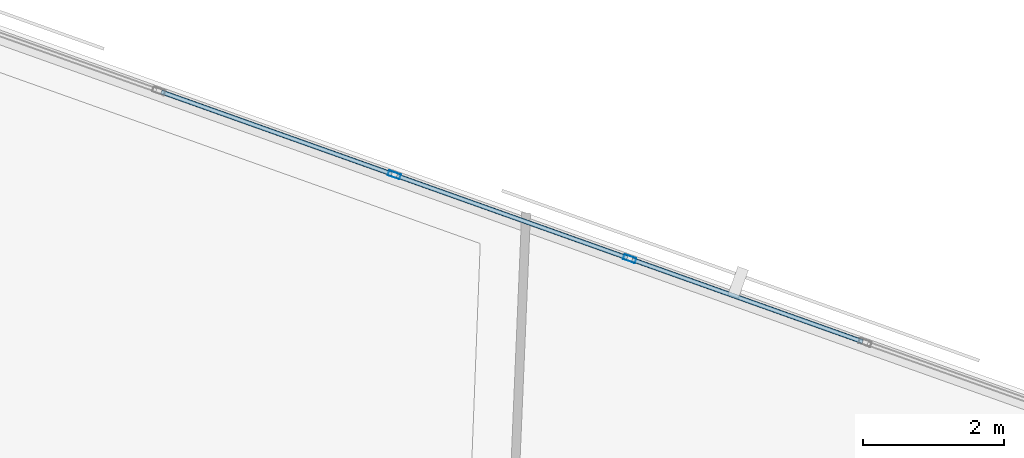
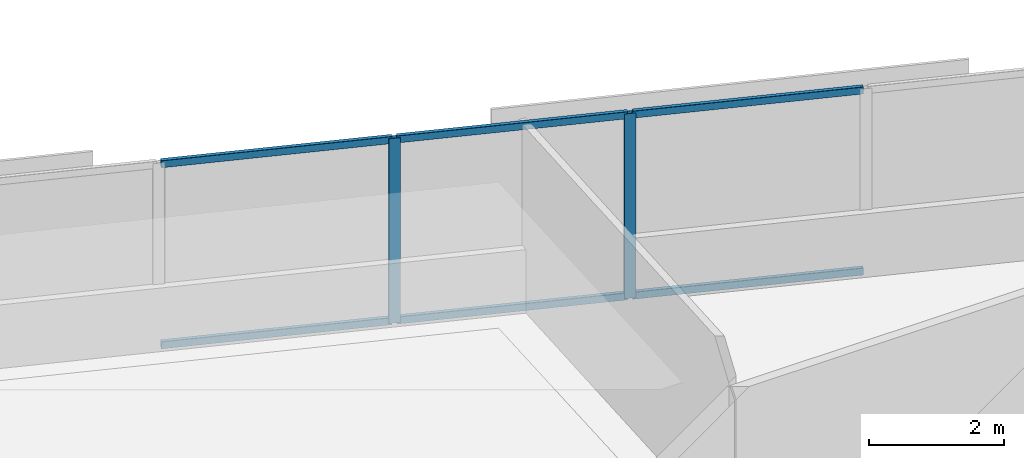
# One storey, part 8 of 17: 8 members, 1 element without a shape of its own.
"""IFC4 building model written with IfcOpenShell, lengths in metres."""

from ifc_helpers import new_model, si_unit, direction, frame, origin, origin_2d, place, context, subcontext, project, spatial, hollow_rectangle, extrude, material, material_profile, profile_set, type_object, element, aggregate, save


model = new_model("IFC4")

# Units and contexts
model_context = context("Model", 3, precision=1e-05, world=origin(), true_north=direction((0.0, 1.0)))
body_context = subcontext(model_context, "Body", "Model", "MODEL_VIEW")
ifc_project = project(units=[si_unit("LENGTHUNIT", "METRE"), si_unit("AREAUNIT", "SQUARE_METRE"), si_unit("VOLUMEUNIT", "CUBIC_METRE"), si_unit("PLANEANGLEUNIT", "RADIAN"), si_unit("MASSUNIT", "GRAM", prefix="KILO")], contexts=[model_context])

# Site, building, storey
site_placement = place(None, origin())
site = spatial("IfcSite", under=ifc_project, at=site_placement, CompositionType="ELEMENT")
building_placement = place(site_placement, origin())
building = spatial("IfcBuilding", under=site, at=building_placement, Name="Narakoshi Arena Tower", CompositionType="ELEMENT")
storey_placement = place(building_placement, frame((0.0, 0.0, 139.5)))
storey = spatial("IfcBuildingStorey", under=building, at=storey_placement, Name="L37", CompositionType="ELEMENT", Elevation=139.5)

# Curtain wall, members
ifc_material = material(Name="Anodised bronze aluminium 6063-T6", Category="aluminium")
curtain_wall_type = type_object("IfcCurtainWallType", Name="CW-HYP-MID", PredefinedType="NOTDEFINED", material=ifc_material)
curtain_wall_placement = place(storey_placement, origin())
curtain_wall = element("IfcCurtainWall", 1, at=curtain_wall_placement, inside=storey, type_object=curtain_wall_type, Name="L37 Folded Hypotenuse Curtain Wall 2-1", PredefinedType="NOTDEFINED")
ifc_material_profile_1 = material_profile(ifc_material, hollow_rectangle(XDim=0.074951171875, YDim=0.179931640625, WallThickness=0.00390625, OuterFilletRadius=0.0048828125, at=origin_2d()), Name="MUL180x75x4")
ifc_profile_set_1 = profile_set([ifc_material_profile_1], Name="Anodised bronze aluminium 6063-T6")
member_type_1 = type_object("IfcMemberType", Name="MEM-MUL-180", PredefinedType="MULLION", material=ifc_profile_set_1)
member_1_placement = place(storey_placement, frame((81.1259765625, 65.1083984375, 0.0), z_axis=(0.0, 0.0, 1.0), x_axis=(-0.335518297139, -0.94203368957, 0.0)))
member_1 = element("IfcMember", 2, at=member_1_placement, type_object=member_type_1, Name="CW-02 mullion 3", PredefinedType="MULLION", context=body_context, shape_type="SweptSolid", body=[
    extrude(hollow_rectangle(XDim=0.074951171875, YDim=0.179931640625, WallThickness=0.00390625, OuterFilletRadius=0.0048828125, at=origin_2d()), origin(), (0.0, 0.0, 1.0), 3.340087890625),
])
member_2_placement = place(storey_placement, frame((77.781494140625, 66.2998046875, 0.0), z_axis=(0.0, 0.0, 1.0), x_axis=(-0.335518297139, -0.94203368957, 0.0)))
member_2 = element("IfcMember", 3, at=member_2_placement, type_object=member_type_1, Name="CW-02 mullion 4", PredefinedType="MULLION", context=body_context, shape_type="SweptSolid", body=[
    extrude(hollow_rectangle(XDim=0.074951171875, YDim=0.179931640625, WallThickness=0.00390625, OuterFilletRadius=0.0048828125, at=origin_2d()), origin(), (0.0, 0.0, 1.0), 3.340087890625),
])
ifc_material_profile_2 = material_profile(ifc_material, hollow_rectangle(XDim=0.06494140625, YDim=0.1298828125, WallThickness=0.00390625, OuterFilletRadius=0.0048828125, at=origin_2d()), Name="TRN130x65x4")
ifc_profile_set_2 = profile_set([ifc_material_profile_2], Name="Anodised bronze aluminium 6063-T6")
member_type_2 = type_object("IfcMemberType", Name="MEM-TRN-130", PredefinedType="USERDEFINED", material=ifc_profile_set_2)
member_3_placement = place(storey_placement, frame((84.435302734375, 63.929931640625, 0.032470703125), z_axis=(-0.942037165195, 0.335508538477, 0.0), x_axis=(-0.335508538477, -0.942037165195, 0.0)))
member_3 = element("IfcMember", 4, at=member_3_placement, type_object=member_type_2, Name="CW-02 transom 2.1", ObjectType="TRANSOM", PredefinedType="USERDEFINED", context=body_context, shape_type="SweptSolid", body=[
    extrude(hollow_rectangle(XDim=0.06494140625, YDim=0.1298828125, WallThickness=0.00390625, OuterFilletRadius=0.0048828125, at=origin_2d()), origin(), (0.0, 0.0, 1.0), 3.475341796875),
])
member_4_placement = place(storey_placement, frame((84.435302734375, 63.929931640625, 3.3076171875), z_axis=(-0.942037165195, 0.335508538477, 0.0), x_axis=(-0.335508538477, -0.942037165195, 0.0)))
member_4 = element("IfcMember", 5, at=member_4_placement, type_object=member_type_2, Name="CW-02 transom 2.2", ObjectType="TRANSOM", PredefinedType="USERDEFINED", context=body_context, shape_type="SweptSolid", body=[
    extrude(hollow_rectangle(XDim=0.06494140625, YDim=0.1298828125, WallThickness=0.00390625, OuterFilletRadius=0.0048828125, at=origin_2d()), origin(), (0.0, 0.0, 1.0), 3.475341796875),
])
member_5_placement = place(storey_placement, frame((81.0908203125, 65.12109375, 0.032470703125), z_axis=(-0.942037165195, 0.335508538477, 0.0), x_axis=(-0.335508538477, -0.942037165195, 0.0)))
member_5 = element("IfcMember", 6, at=member_5_placement, type_object=member_type_2, Name="CW-02 transom 3.1", ObjectType="TRANSOM", PredefinedType="USERDEFINED", context=body_context, shape_type="SweptSolid", body=[
    extrude(hollow_rectangle(XDim=0.06494140625, YDim=0.1298828125, WallThickness=0.00390625, OuterFilletRadius=0.0048828125, at=origin_2d()), origin(), (0.0, 0.0, 1.0), 3.475341796875),
])
member_6_placement = place(storey_placement, frame((81.0908203125, 65.12109375, 3.3076171875), z_axis=(-0.942037165195, 0.335508538477, 0.0), x_axis=(-0.335508538477, -0.942037165195, 0.0)))
member_6 = element("IfcMember", 7, at=member_6_placement, type_object=member_type_2, Name="CW-02 transom 3.2", ObjectType="TRANSOM", PredefinedType="USERDEFINED", context=body_context, shape_type="SweptSolid", body=[
    extrude(hollow_rectangle(XDim=0.06494140625, YDim=0.1298828125, WallThickness=0.00390625, OuterFilletRadius=0.0048828125, at=origin_2d()), origin(), (0.0, 0.0, 1.0), 3.475341796875),
])
member_7_placement = place(storey_placement, frame((77.74609375, 66.312255859375, 0.032470703125), z_axis=(-0.942029256779, 0.335530742813, 0.0), x_axis=(-0.335530742813, -0.942029256779, 0.0)))
member_7 = element("IfcMember", 8, at=member_7_placement, type_object=member_type_2, Name="CW-02 transom 4.1", ObjectType="TRANSOM", PredefinedType="USERDEFINED", context=body_context, shape_type="SweptSolid", body=[
    extrude(hollow_rectangle(XDim=0.06494140625, YDim=0.1298828125, WallThickness=0.00390625, OuterFilletRadius=0.0048828125, at=origin_2d()), origin(), (0.0, 0.0, 1.0), 3.47509765625),
])
member_8_placement = place(storey_placement, frame((77.74609375, 66.312255859375, 3.3076171875), z_axis=(-0.942029256779, 0.335530742813, 0.0), x_axis=(-0.335530742813, -0.942029256779, 0.0)))
member_8 = element("IfcMember", 9, at=member_8_placement, type_object=member_type_2, Name="CW-02 transom 4.2", ObjectType="TRANSOM", PredefinedType="USERDEFINED", context=body_context, shape_type="SweptSolid", body=[
    extrude(hollow_rectangle(XDim=0.06494140625, YDim=0.1298828125, WallThickness=0.00390625, OuterFilletRadius=0.0048828125, at=origin_2d()), origin(), (0.0, 0.0, 1.0), 3.47509765625),
])
aggregate(curtain_wall, [member_1, member_2, member_3, member_4, member_5, member_6, member_7, member_8])

save(model, "model.ifc")
